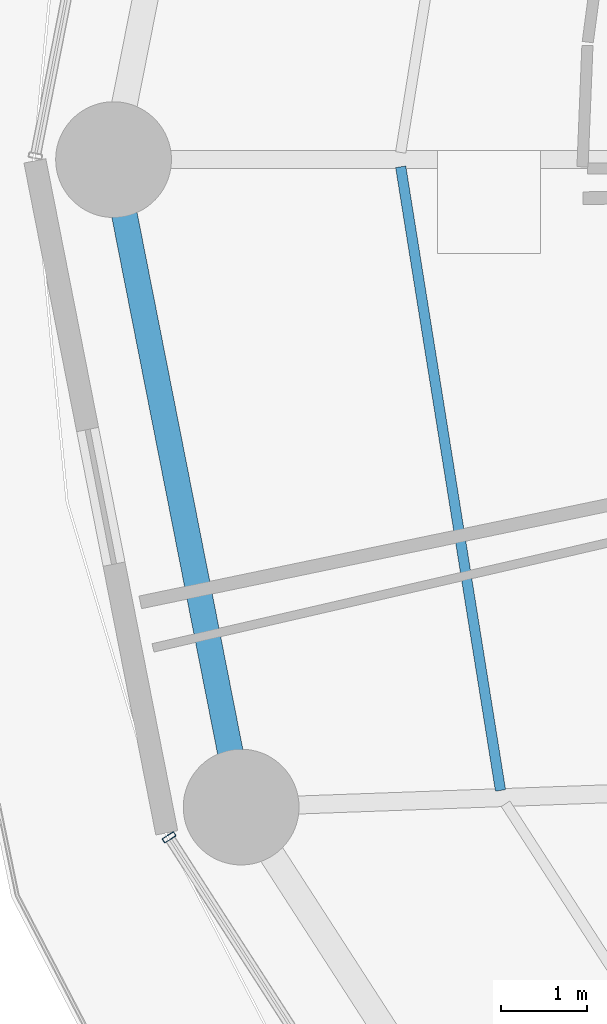
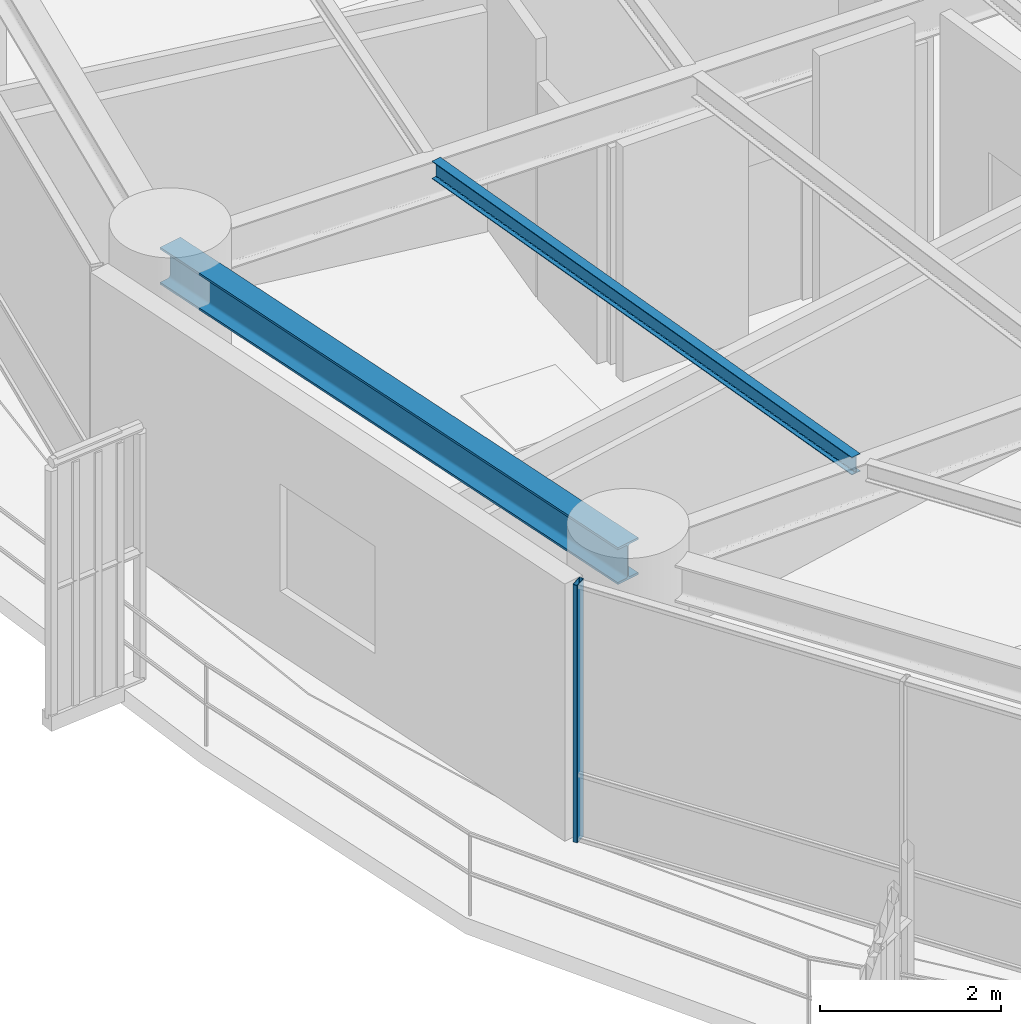
# One storey, part 6 of 35: 2 beams, 1 member, 1 element without a shape of its own.
"""IFC4 building model written with IfcOpenShell, lengths in metres."""

from ifc_helpers import new_model, si_unit, direction, frame, origin, origin_2d, place, context, subcontext, project, spatial, hollow_rectangle, i_section, extrude, material, layer, layer_set, material_profile, profile_set, type_object, element, aggregate, save


model = new_model("IFC4")

# Units and contexts
model_context = context("Model", 3, precision=1e-05, world=origin(), true_north=direction((0.0, 1.0)))
body_context = subcontext(model_context, "Body", "Model", "MODEL_VIEW")
ifc_project = project(units=[si_unit("LENGTHUNIT", "METRE"), si_unit("AREAUNIT", "SQUARE_METRE"), si_unit("VOLUMEUNIT", "CUBIC_METRE"), si_unit("PLANEANGLEUNIT", "RADIAN"), si_unit("MASSUNIT", "GRAM", prefix="KILO")], contexts=[model_context])

# Site, building, storey
site_placement = place(None, origin())
site = spatial("IfcSite", under=ifc_project, at=site_placement, CompositionType="ELEMENT")
building_placement = place(site_placement, origin())
building = spatial("IfcBuilding", under=site, at=building_placement, Name="Kelanora Arch Commons", CompositionType="ELEMENT")
storey_placement = place(building_placement, frame((0.0, 0.0, 91.35009765625)))
storey = spatial("IfcBuildingStorey", under=building, at=storey_placement, Name="L23", CompositionType="ELEMENT", Elevation=91.35009765625)

# Beams
ifc_material_1 = material(Name="Steel S355", Category="steel")
ifc_material_profile_1 = material_profile(ifc_material_1, i_section(OverallWidth=0.1201171875, OverallDepth=0.239990234375, WebThickness=0.006103515625, FlangeThickness=0.009765625, FilletRadius=0.014892578125, at=origin_2d()), Name="IPE240")
ifc_profile_set_1 = profile_set([ifc_material_profile_1], Name="Steel S355")
beam_type_1 = type_object("IfcBeamType", Name="BM-JST-02", PredefinedType="JOIST", material=ifc_profile_set_1)
beam_1_placement = place(storey_placement, frame((52.66943359375, 57.916015625, 3.369873046875), z_axis=(0.157999549894, -0.987439184068, 0.0), x_axis=(0.987439184068, 0.157999549894, 0.0)))
element("IfcBeam", 1, at=beam_1_placement, inside=storey, type_object=beam_type_1, Name="Secondary Chord Joist BJC-18 L23", PredefinedType="JOIST", context=body_context, shape_type="SweptSolid", body=[
    extrude(i_section(OverallWidth=0.1201171875, OverallDepth=0.239990234375, WebThickness=0.006103515625, FlangeThickness=0.009765625, FilletRadius=0.014892578125, at=origin_2d()), origin(), (0.0, 0.0, 1.0), 7.365966796875),
])
ifc_material_profile_2 = material_profile(ifc_material_1, i_section(OverallWidth=0.300048828125, OverallDepth=0.5, WebThickness=0.014404296875, FlangeThickness=0.028076171875, FilletRadius=0.027099609375, at=origin_2d()), Name="HEB500")
ifc_profile_set_2 = profile_set([ifc_material_profile_2], Name="Steel S355")
beam_type_2 = type_object("IfcBeamType", Name="BM-SPN-Z2", PredefinedType="SPANDREL", material=ifc_profile_set_2)
beam_2_placement = place(storey_placement, frame((49.320068359375, 58.0, 3.239990234375), z_axis=(0.19335825777, -0.981128220037, 0.0), x_axis=(0.981128220037, 0.19335825777, 0.0)))
element("IfcBeam", 2, at=beam_2_placement, inside=storey, type_object=beam_type_2, Name="Perimeter Spandrel Beam BS-18 L23", PredefinedType="SPANDREL", context=body_context, shape_type="SweptSolid", body=[
    extrude(i_section(OverallWidth=0.300048828125, OverallDepth=0.5, WebThickness=0.014404296875, FlangeThickness=0.028076171875, FilletRadius=0.027099609375, at=origin_2d()), origin(), (0.0, 0.0, 1.0), 7.697021484375),
])

# Curtain wall, member
ifc_material_2 = material(Name="Terracotta ceramic-fritted low-E glass and aluminium", Category="masonry")
ifc_layer = layer(ifc_material_2, 0.159912109375)
ifc_layer_set = layer_set([ifc_layer], Name="Terracotta ceramic-fritted low-E glass and aluminium")
curtain_wall_type = type_object("IfcCurtainWallType", Name="CW-SYS-01", PredefinedType="NOTDEFINED", material=ifc_layer_set)
curtain_wall_placement = place(storey_placement, origin())
curtain_wall = element("IfcCurtainWall", 3, at=curtain_wall_placement, inside=storey, type_object=curtain_wall_type, Name="Unitised Curtain Wall L23-B10", PredefinedType="NOTDEFINED")
ifc_material_3 = material(Name="Powder-coated aluminium terracotta", Category="masonry")
ifc_material_profile_3 = material_profile(ifc_material_3, hollow_rectangle(XDim=0.159912109375, YDim=0.06005859375, WallThickness=0.0048828125, InnerFilletRadius=0.0048828125, OuterFilletRadius=0.010009765625, at=origin_2d()), Name="CWM160x60")
ifc_profile_set_3 = profile_set([ifc_material_profile_3], Name="Powder-coated aluminium terracotta")
member_type = type_object("IfcMemberType", Name="CWM-STD", PredefinedType="MULLION", material=ifc_profile_set_3)
member_placement = place(storey_placement, frame((49.96826171875, 50.095703125, 0.0), z_axis=(0.0, 0.0, 1.0), x_axis=(0.841268883088, 0.540616931244, 0.0)))
member = element("IfcMember", 4, at=member_placement, type_object=member_type, Name="CW-01 mullion 1", PredefinedType="MULLION", context=body_context, shape_type="SweptSolid", body=[
    extrude(hollow_rectangle(XDim=0.159912109375, YDim=0.06005859375, WallThickness=0.0048828125, InnerFilletRadius=0.0048828125, OuterFilletRadius=0.010009765625, at=origin_2d()), origin(), (0.0, 0.0, 1.0), 3.474853515625),
])
aggregate(curtain_wall, [member])

save(model, "model.ifc")
